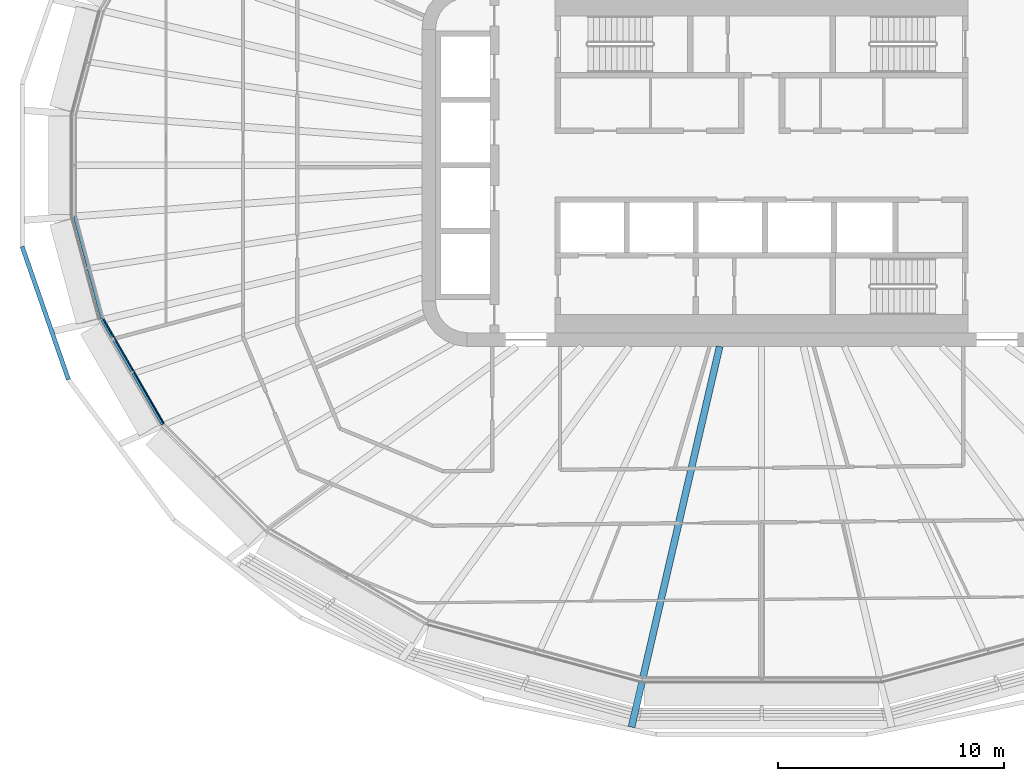
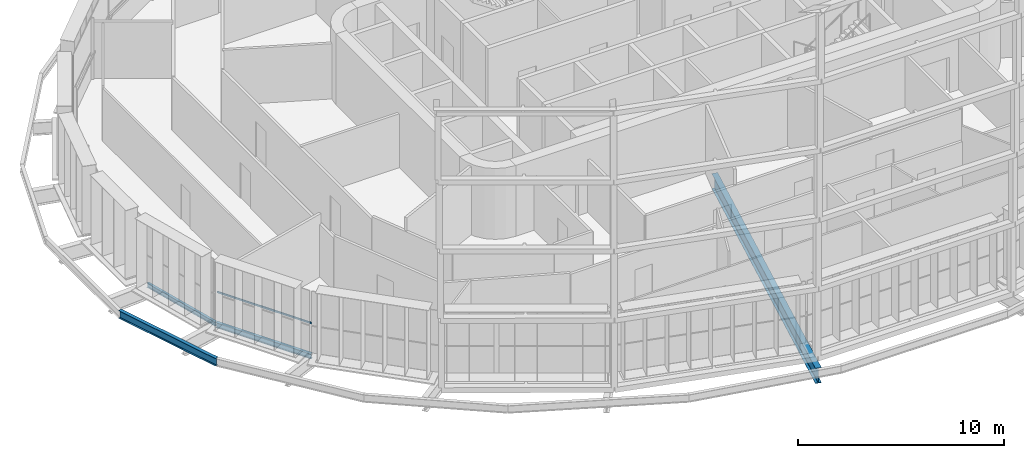
# One storey, part 2 of 23: 4 beams, 1 member, 1 element without a shape of its own.
"""IFC4 building model written with IfcOpenShell, lengths in metres."""

import ifcopenshell
import ifcopenshell.guid

model = None  # the IFC model being written
_history = None  # IfcOwnerHistory: only IFC2X3 demands one
_inside = {}  # id of a spatial element -> (the spatial element, [elements in it])
_under = {}  # id of a project, library or spatial element -> (it, [spatial elements below it])
_declared = {}  # id of a project -> (the project, [libraries it declares])
_typed = {}  # id of a type object -> (the type object, [elements of that type])
_made_of = {}  # id of a material, layer set ... -> (it, [elements and type objects made of it])


def new_model(schema):
    """Start an empty IFC model of exactly this schema.

    Asked for "IFC4X3", IfcOpenShell would pick the latest addendum, in which some entities
    have other attributes; the version numbers below select the first issue.
    IFC2X3 requires an IfcOwnerHistory on every rooted entity: one is made here for all.
    """
    global model, _history
    if schema == "IFC4X3":
        model = ifcopenshell.file(schema_version=(4, 3, 0, 0))
    else:
        model = ifcopenshell.file(schema=schema)
    _inside.clear()
    _under.clear()
    _declared.clear()
    _typed.clear()
    _made_of.clear()
    _history = None
    if model.schema == "IFC2X3":
        org = make("IfcOrganization", Name="unknown")
        user = make(
            "IfcPersonAndOrganization",
            ThePerson=make("IfcPerson", FamilyName="unknown"),
            TheOrganization=org,
        )
        app = make(
            "IfcApplication",
            ApplicationDeveloper=org,
            Version="unknown",
            ApplicationFullName="unknown",
            ApplicationIdentifier="unknown",
        )
        _history = make(
            "IfcOwnerHistory",
            OwningUser=user,
            OwningApplication=app,
            ChangeAction="ADDED",
            CreationDate=0,
        )
    return model


def make(cls, **values):
    """One entity of the class cls with the attributes given. An attribute that is None is left unset."""
    return model.create_entity(
        cls, **{name: value for name, value in values.items() if value is not None}
    )


def rooted(cls, **values):
    """An entity with a GlobalId (a new one), such as an element, a storey or a relation."""
    return make(cls, GlobalId=ifcopenshell.guid.new(), OwnerHistory=_history, **values)


def si_unit(unit_type, name, prefix=None):
    """IfcSIUnit, for example si_unit("LENGTHUNIT", "METRE", prefix="MILLI")."""
    return make("IfcSIUnit", UnitType=unit_type, Prefix=prefix, Name=name)


def assignment(units):
    """IfcUnitAssignment: the units of a project."""
    return None if units is None else make("IfcUnitAssignment", Units=units)


def point(xyz):
    """IfcCartesianPoint."""
    return None if xyz is None else make("IfcCartesianPoint", Coordinates=xyz)


def direction(xyz):
    """IfcDirection."""
    return None if xyz is None else make("IfcDirection", DirectionRatios=xyz)


def frame(location, z_axis=None, x_axis=None):
    """IfcAxis2Placement3D, a coordinate frame: its origin and axes. An axis left out is left unset."""
    return make(
        "IfcAxis2Placement3D",
        Location=point(location),
        Axis=direction(z_axis),
        RefDirection=direction(x_axis),
    )


def frame_2d(location, x_axis=None):
    """IfcAxis2Placement2D, a coordinate frame in the plane: its origin and x axis."""
    return make(
        "IfcAxis2Placement2D", Location=point(location), RefDirection=direction(x_axis)
    )


def origin():
    """The frame at (0, 0, 0) with its axes left unset."""
    return frame((0.0, 0.0, 0.0))


def origin_2d():
    """The frame at (0, 0) in the plane with its x axis left unset."""
    return frame_2d((0.0, 0.0))


def place(relative_to, where):
    """IfcLocalPlacement: puts the frame where relative to a parent placement (None: the world)."""
    return make(
        "IfcLocalPlacement", PlacementRelTo=relative_to, RelativePlacement=where
    )


def context(
    kind, dimensions, precision=None, world=None, true_north=None, identifier=None
):
    """IfcGeometricRepresentationContext, for example the 3D "Model" context."""
    return make(
        "IfcGeometricRepresentationContext",
        ContextIdentifier=identifier,
        ContextType=kind,
        CoordinateSpaceDimension=dimensions,
        Precision=precision,
        WorldCoordinateSystem=world,
        TrueNorth=true_north,
    )


def subcontext(parent, identifier, kind, view, scale=None):
    """IfcGeometricRepresentationSubContext, for example "Body" below "Model"."""
    return make(
        "IfcGeometricRepresentationSubContext",
        ContextIdentifier=identifier,
        ContextType=kind,
        ParentContext=parent,
        TargetScale=scale,
        TargetView=view,
    )


def project(units=None, contexts=None):
    """IfcProject with its units and contexts."""
    return rooted(
        "IfcProject",
        Name="project",
        RepresentationContexts=contexts,
        UnitsInContext=assignment(units),
    )


def spatial(cls, under=None, at=None, **own):
    """A site, building, storey or space (cls), placed at a placement, below another one or the project."""
    s = rooted(cls, ObjectPlacement=at, **own)
    if under is not None:
        _under.setdefault(under.id(), (under, []))[1].append(s)
    return s


def profile(cls, at=None, kind="AREA", **sizes):
    """A parametric profile (cls). Its sizes go by their IFC names, for example OverallWidth=200.0."""
    return make(cls, ProfileType=kind, Position=at, **sizes)


def rectangle(**sizes):
    """IfcRectangleProfileDef."""
    return profile("IfcRectangleProfileDef", **sizes)


def i_section(**sizes):
    """IfcIShapeProfileDef."""
    return profile("IfcIShapeProfileDef", **sizes)


def extrude(swept, where, along, depth):
    """IfcExtrudedAreaSolid: the profile swept, set in the frame where, extruded along a direction by depth."""
    return make(
        "IfcExtrudedAreaSolid",
        SweptArea=swept,
        Position=where,
        ExtrudedDirection=direction(along),
        Depth=depth,
    )


def shape(context_of_items, identifier, shape_type, items):
    """IfcShapeRepresentation: the items that make up one representation, for example the "Body"."""
    return make(
        "IfcShapeRepresentation",
        ContextOfItems=context_of_items,
        RepresentationIdentifier=identifier,
        RepresentationType=shape_type,
        Items=items,
    )


def material(Name=None, Category=None):
    """IfcMaterial."""
    return make("IfcMaterial", Name=Name, Category=Category)


def layer(
    of_material, thickness, ventilated=None, Name=None, Category=None, Priority=None
):
    """IfcMaterialLayer: one layer of a wall or slab, of a material (None: an air gap)."""
    return make(
        "IfcMaterialLayer",
        Material=of_material,
        LayerThickness=thickness,
        IsVentilated=ventilated,
        Name=Name,
        Category=Category,
        Priority=Priority,
    )


def layer_set(layers, Name=None):
    """IfcMaterialLayerSet."""
    return make("IfcMaterialLayerSet", MaterialLayers=layers, LayerSetName=Name)


def material_profile(
    of_material, cross_section, Name=None, Category=None, Priority=None
):
    """IfcMaterialProfile: a cross section and its material."""
    return make(
        "IfcMaterialProfile",
        Name=Name,
        Material=of_material,
        Profile=cross_section,
        Priority=Priority,
        Category=Category,
    )


def profile_set(profiles, Name=None, composite=None):
    """IfcMaterialProfileSet."""
    return make(
        "IfcMaterialProfileSet",
        Name=Name,
        MaterialProfiles=profiles,
        CompositeProfile=composite,
    )


def made_of(thing, what):
    """Note that an element or type object is made of a material, layer set ...; save() writes the relation."""
    if what is not None:
        _made_of.setdefault(what.id(), (what, []))[1].append(thing)
    return thing


def type_object(cls, material=None, **own):
    """A type object (cls), such as IfcWallType, which elements share."""
    return made_of(rooted(cls, **own), material)


def element(
    cls,
    number,
    at=None,
    inside=None,
    cuts=None,
    type_object=None,
    material=None,
    context=None,
    identifier="Body",
    shape_type=None,
    held_by="IfcProductDefinitionShape",
    body=None,
    shapes=None,
    **own,
):
    """One element of the class cls, such as IfcWall. Its Tag is "e" and its number.

    at: its placement. inside: the storey or other place that contains it. cuts: it is an
    opening in that element (IfcRelVoidsElement). A single representation is given by context,
    identifier, shape_type and body (its items); several are given by shapes. held_by: the class
    of the entity that holds the representations. save() writes the other relations.
    """
    e = rooted(cls, Tag="e%d" % number, ObjectPlacement=at, **own)
    if body is not None:
        shapes = [shape(context, identifier, shape_type, body)]
    if shapes is not None:
        e.Representation = make(held_by, Representations=shapes)
    if inside is not None:
        _inside.setdefault(inside.id(), (inside, []))[1].append(e)
    if cuts is not None:
        rooted(
            "IfcRelVoidsElement", RelatingBuildingElement=cuts, RelatedOpeningElement=e
        )
    if type_object is not None:
        _typed.setdefault(type_object.id(), (type_object, []))[1].append(e)
    return made_of(e, material)


def aggregate(whole, parts):
    """IfcRelAggregates: a whole, such as a stair, and the parts it consists of."""
    return rooted("IfcRelAggregates", RelatingObject=whole, RelatedObjects=parts)


def save(model, path):
    """Write the relations noted so far, then the file.

    IfcRelAggregates (storeys below a building ...), IfcRelContainedInSpatialStructure (elements
    in a storey), IfcRelDefinesByType, IfcRelAssociatesMaterial and IfcRelDeclares: one each for
    every whole, place, type object, material and project.
    """
    for whole, parts in _under.values():
        aggregate(whole, parts)
    for where, things in _inside.values():
        rooted(
            "IfcRelContainedInSpatialStructure",
            RelatedElements=things,
            RelatingStructure=where,
        )
    for kind, things in _typed.values():
        rooted("IfcRelDefinesByType", RelatedObjects=things, RelatingType=kind)
    for what, things in _made_of.values():
        rooted("IfcRelAssociatesMaterial", RelatedObjects=things, RelatingMaterial=what)
    for by, libraries in _declared.values():
        rooted("IfcRelDeclares", RelatingContext=by, RelatedDefinitions=libraries)
    model.write(path)


model = new_model("IFC4")

# Units and contexts
model_context = context("Model", 3, precision=1e-05, world=origin(), true_north=direction((0.0, 1.0)))
body_context = subcontext(model_context, "Body", "Model", "MODEL_VIEW")
ifc_project = project(units=[si_unit("LENGTHUNIT", "METRE"), si_unit("AREAUNIT", "SQUARE_METRE"), si_unit("VOLUMEUNIT", "CUBIC_METRE"), si_unit("PLANEANGLEUNIT", "RADIAN"), si_unit("MASSUNIT", "GRAM", prefix="KILO")], contexts=[model_context])

# Site, building, storey
site_placement = place(None, origin())
site = spatial("IfcSite", under=ifc_project, at=site_placement, CompositionType="ELEMENT")
building_placement = place(site_placement, origin())
building = spatial("IfcBuilding", under=site, at=building_placement, Name="Sahrelin Media Tower", CompositionType="ELEMENT")
storey_placement = place(building_placement, frame((0.0, 0.0, 54.60009765625)))
storey = spatial("IfcBuildingStorey", under=building, at=storey_placement, Name="L08", CompositionType="ELEMENT", Elevation=54.60009765625)

# Beams
ifc_material_1 = material(Name="Steel S355", Category="steel")
ifc_material_profile_1 = material_profile(ifc_material_1, i_section(OverallWidth=0.14599609375, OverallDepth=0.25146484375, WebThickness=0.006103515625, FlangeThickness=0.008544921875, FilletRadius=0.007568359375, at=origin_2d()), Name="UB 254x146x31")
ifc_profile_set_1 = profile_set([ifc_material_profile_1], Name="Steel S355")
beam_type_1 = type_object("IfcBeamType", Name="Edge beam EB1", PredefinedType="BEAM", material=ifc_profile_set_1)
beam_1_placement = place(storey_placement, frame((-29.109130859375, -6.783935546875, -0.27587890625), z_axis=(-0.258828228202, 0.965923365638, 0.0), x_axis=(-0.965923365638, -0.258828228202, 0.0)))
element("IfcBeam", 1, at=beam_1_placement, inside=storey, type_object=beam_type_1, Name="Edge beam L08-12", PredefinedType="BEAM", context=body_context, shape_type="SweptSolid", body=[
    extrude(i_section(OverallWidth=0.14599609375, OverallDepth=0.25146484375, WebThickness=0.006103515625, FlangeThickness=0.008544921875, FilletRadius=0.007568359375, at=origin_2d()), origin(), (0.0, 0.0, 1.0), 4.679443359375),
])
ifc_material_profile_2 = material_profile(ifc_material_1, i_section(OverallWidth=0.1650390625, OverallDepth=0.303466796875, WebThickness=0.006103515625, FlangeThickness=0.01025390625, FilletRadius=0.0087890625, at=origin_2d()), Name="UB 305x165x40")
ifc_profile_set_2 = profile_set([ifc_material_profile_2], Name="Steel S355")
beam_type_2 = type_object("IfcBeamType", Name="Edge beam EB2", PredefinedType="BEAM", material=ifc_profile_set_2)
beam_2_placement = place(storey_placement, frame((-26.429443359375, -11.4326171875, -0.3017578125), z_axis=(-0.500020745744, 0.866013425892, 0.0), x_axis=(-0.866013425892, -0.500020745744, 0.0)))
element("IfcBeam", 2, at=beam_2_placement, inside=storey, type_object=beam_type_2, Name="Edge beam L08-11", PredefinedType="BEAM", context=body_context, shape_type="SweptSolid", body=[
    extrude(i_section(OverallWidth=0.1650390625, OverallDepth=0.303466796875, WebThickness=0.006103515625, FlangeThickness=0.01025390625, FilletRadius=0.0087890625, at=origin_2d()), origin(), (0.0, 0.0, 1.0), 5.337158203125),
])
ifc_material_profile_3 = material_profile(ifc_material_1, i_section(OverallWidth=0.30322265625, OverallDepth=0.903076171875, WebThickness=0.01513671875, FlangeThickness=0.020263671875, FilletRadius=0.01904296875, at=origin_2d()), Name="UB 914x305x201")
ifc_profile_set_3 = profile_set([ifc_material_profile_3], Name="Steel S355")
beam_type_3 = type_object("IfcBeamType", Name="Radial primary beam PB11", PredefinedType="BEAM", material=ifc_profile_set_3)
beam_3_placement = place(storey_placement, frame((-1.8515625, -8.0, -0.6015625), z_axis=(-0.225489797677, -0.974245529188, 0.0), x_axis=(0.974245529188, -0.225489797677, 0.0)))
element("IfcBeam", 3, at=beam_3_placement, inside=storey, type_object=beam_type_3, Name="Radial beam L08-18", PredefinedType="BEAM", context=body_context, shape_type="SweptSolid", body=[
    extrude(i_section(OverallWidth=0.30322265625, OverallDepth=0.903076171875, WebThickness=0.01513671875, FlangeThickness=0.020263671875, FilletRadius=0.01904296875, at=origin_2d()), origin(), (0.0, 0.0, 1.0), 17.255126953125),
])
ifc_material_profile_4 = material_profile(ifc_material_1, i_section(OverallWidth=0.1904296875, OverallDepth=0.45703125, WebThickness=0.009033203125, FlangeThickness=0.014404296875, FilletRadius=0.01025390625, at=origin_2d()), Name="UB 457x191x74")
ifc_profile_set_4 = profile_set([ifc_material_profile_4], Name="Steel S355")
beam_type_4 = type_object("IfcBeamType", Name="Tie chord TC5", PredefinedType="BEAM", material=ifc_profile_set_4)
beam_4_placement = place(storey_placement, frame((-32.64990234375, -3.589111328125, -0.378662109375), z_axis=(0.328778181414, -0.944407172477, 0.0), x_axis=(0.944407172477, 0.328778181414, 0.0)))
element("IfcBeam", 4, at=beam_4_placement, inside=storey, type_object=beam_type_4, Name="Tie chord L08-13", PredefinedType="BEAM", context=body_context, shape_type="SweptSolid", body=[
    extrude(i_section(OverallWidth=0.1904296875, OverallDepth=0.45703125, WebThickness=0.009033203125, FlangeThickness=0.014404296875, FilletRadius=0.01025390625, at=origin_2d()), origin(), (0.0, 0.0, 1.0), 6.213134765625),
])

# Curtain wall, member
ifc_material_2 = material(Name="Champagne anodised aluminium 6063-T6", Category="aluminium")
ifc_layer = layer(ifc_material_2, 0.14990234375)
ifc_layer_set = layer_set([ifc_layer], Name="Tower ribbon curtain wall")
curtain_wall_type = type_object("IfcCurtainWallType", Name="Tower ribbon curtain wall", PredefinedType="NOTDEFINED", material=ifc_layer_set)
curtain_wall_placement = place(storey_placement, frame((-27.893798828125, -9.196533203125, 0.0), z_axis=(0.0, 0.0, 1.0), x_axis=(1.0, 0.0, 0.0)))
curtain_wall = element("IfcCurtainWall", 5, at=curtain_wall_placement, inside=storey, type_object=curtain_wall_type, Name="L08:CW:L08-14", PredefinedType="NOTDEFINED")
ifc_material_profile_5 = material_profile(ifc_material_2, rectangle(XDim=0.050048828125, YDim=0.10009765625, at=origin_2d()), Name="Transom 50x100")
ifc_profile_set_5 = profile_set([ifc_material_profile_5], Name="Champagne anodised aluminium 6063-T6")
member_type = type_object("IfcMemberType", Name="Transom 50x100 CW1", PredefinedType="USERDEFINED", material=ifc_profile_set_5)
member_placement = place(storey_placement, frame((-29.05126953125, -6.801513671875, 1.599853515625), z_axis=(0.499989321821, -0.866031568746, 0.0), x_axis=(0.866031568746, 0.499989321821, 0.0)))
member = element("IfcMember", 6, at=member_placement, type_object=member_type, Name="L08:CWT:L08-14", ObjectType="TRANSOM", PredefinedType="USERDEFINED", context=body_context, shape_type="SweptSolid", body=[
    extrude(rectangle(XDim=0.050048828125, YDim=0.10009765625, at=origin_2d()), origin(), (0.0, 0.0, 1.0), 5.3056640625),
])
aggregate(curtain_wall, [member])

save(model, "model.ifc")
